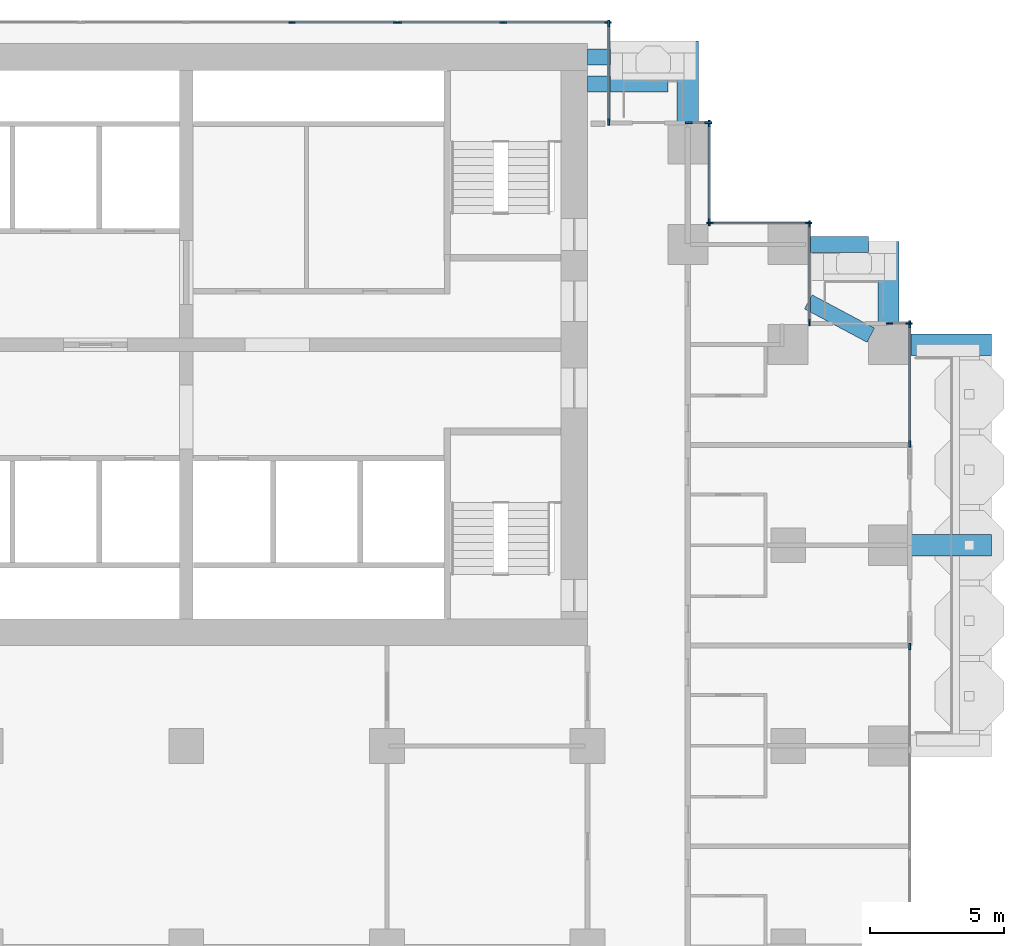
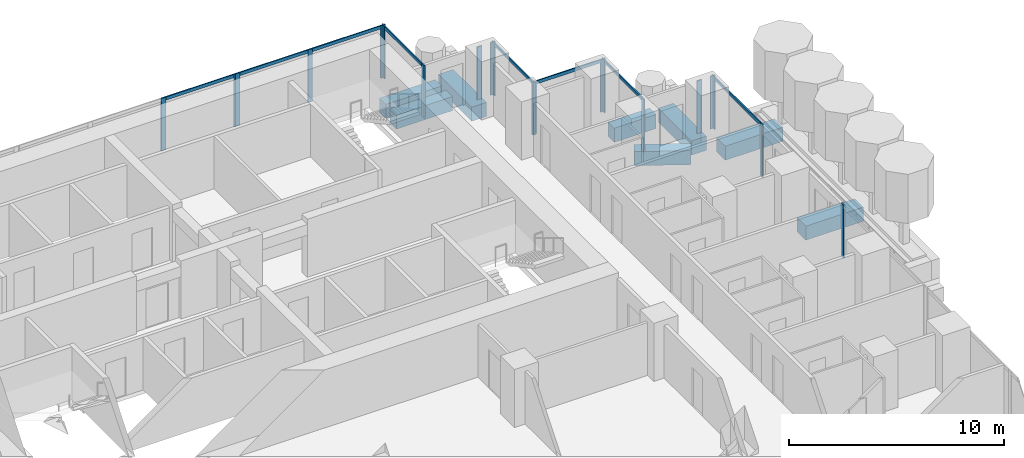
# One storey, part 6 of 20: 28 members, 8 beams, 10 elements without a shape of their own.
"""IFC4 building model written with IfcOpenShell, lengths in metres."""

from ifc_helpers import new_model, si_unit, direction, frame, origin, origin_2d, place, context, subcontext, project, spatial, rectangle, extrude, material, material_profile, profile_set, type_object, element, aggregate, save


model = new_model("IFC4")

# Units and contexts
model_context = context("Model", 3, precision=1e-05, world=origin(), true_north=direction((0.0, 1.0)))
body_context = subcontext(model_context, "Body", "Model", "MODEL_VIEW")
ifc_project = project(units=[si_unit("LENGTHUNIT", "METRE"), si_unit("AREAUNIT", "SQUARE_METRE"), si_unit("VOLUMEUNIT", "CUBIC_METRE"), si_unit("PLANEANGLEUNIT", "RADIAN"), si_unit("MASSUNIT", "GRAM", prefix="KILO")], contexts=[model_context])

# Site, building, storey
site_placement = place(None, origin())
site = spatial("IfcSite", under=ifc_project, at=site_placement, CompositionType="ELEMENT")
building_placement = place(site_placement, origin())
building = spatial("IfcBuilding", under=site, at=building_placement, Name="Pilkhan Gate Tower", CompositionType="ELEMENT")
storey_placement = place(building_placement, frame((0.0, 0.0, 92.300048828125)))
storey = spatial("IfcBuildingStorey", under=building, at=storey_placement, Name="L22", CompositionType="ELEMENT", Elevation=92.300048828125)

# Beams
ifc_material_1 = material(Name="Concrete C50/60", Category="concrete")
ifc_material_profile_1 = material_profile(ifc_material_1, rectangle(XDim=0.60009765625, YDim=0.800048828125, at=origin_2d()), Name="RC 600x800")
ifc_profile_set_1 = profile_set([ifc_material_profile_1], Name="Concrete C50/60")
beam_type_1 = type_object("IfcBeamType", Name="Cantilever beam CB1 RC 600x800 C50/60", PredefinedType="BEAM", material=ifc_profile_set_1)
for number, where, z_axis, x_axis, name in (
    (1, (90.0, 93.25, -0.699951171875), (1.0, 0.0, 0.0), (0.0, 1.0, 0.0), "Balcony beam NE.2 L22"),
    (2, (90.0, 92.25, -0.699951171875), (1.0, 0.0, 0.0), (0.0, 1.0, 0.0), "Balcony beam NE.3 L22"),
):
    element("IfcBeam", number, at=place(storey_placement, frame(where, z_axis=z_axis, x_axis=x_axis)), inside=storey, type_object=beam_type_1, Name=name, PredefinedType="BEAM", context=body_context, shape_type="SweptSolid", body=[
        extrude(rectangle(XDim=0.60009765625, YDim=0.800048828125, at=origin_2d()), origin(), (0.0, 0.0, 1.0), 3.0),
    ])
beam_1_placement = place(storey_placement, frame((98.25, 86.25, -0.699951171875), z_axis=(1.0, 0.0, 0.0), x_axis=(0.0, 1.0, 0.0)))
element("IfcBeam", 3, at=beam_1_placement, inside=storey, type_object=beam_type_1, Name="Balcony beam NE2.2 L22", PredefinedType="BEAM", context=body_context, shape_type="SweptSolid", body=[
    extrude(rectangle(XDim=0.60009765625, YDim=0.800048828125, at=origin_2d()), origin(), (0.0, 0.0, 1.0), 2.25),
])
beam_2_placement = place(storey_placement, frame((100.588134765625, 82.85302734375, -0.699951171875), z_axis=(-0.882342739565, 0.470607362817, 0.0), x_axis=(-0.470607362817, -0.882342739565, 0.0)))
element("IfcBeam", 4, at=beam_2_placement, inside=storey, type_object=beam_type_1, Name="Balcony beam NE2.3 L22", PredefinedType="BEAM", context=body_context, shape_type="SweptSolid", body=[
    extrude(rectangle(XDim=0.60009765625, YDim=0.800048828125, at=origin_2d()), origin(), (0.0, 0.0, 1.0), 2.64990234375),
])
ifc_material_profile_2 = material_profile(ifc_material_1, rectangle(XDim=0.800048828125, YDim=0.800048828125, at=origin_2d()), Name="RC 800x800")
ifc_profile_set_2 = profile_set([ifc_material_profile_2], Name="Concrete C50/60")
beam_type_2 = type_object("IfcBeamType", Name="Cantilever beam CB2 RC 800x800 C50/60", PredefinedType="BEAM", material=ifc_profile_set_2)
for number, where, z_axis, x_axis, name in (
    (5, (102.0, 75.0, -0.699951171875), (1.0, 0.0, 0.0), (0.0, 1.0, 0.0), "Balcony beam E.2 L22"),
    (6, (102.0, 82.5, -0.699951171875), (1.0, 0.0, 0.0), (0.0, 1.0, 0.0), "Balcony beam E.3 L22"),
    (7, (93.75, 90.75, -0.699951171875), (0.0, 1.0, 0.0), (-1.0, 0.0, 0.0), "Balcony beam NE.1 L22"),
    (8, (101.25, 83.25, -0.699951171875), (0.0, 1.0, 0.0), (-1.0, 0.0, 0.0), "Balcony beam NE2.1 L22"),
):
    element("IfcBeam", number, at=place(storey_placement, frame(where, z_axis=z_axis, x_axis=x_axis)), inside=storey, type_object=beam_type_2, Name=name, PredefinedType="BEAM", context=body_context, shape_type="SweptSolid", body=[
        extrude(rectangle(XDim=0.800048828125, YDim=0.800048828125, at=origin_2d()), origin(), (0.0, 0.0, 1.0), 3.10009765625),
    ])

# Curtain wall, member
ifc_material_2 = material(Name="Pale anodised aluminium, clear low-iron double glazing", Category="aluminium")
curtain_wall_type = type_object("IfcCurtainWallType", Name="Hotel unitised curtain wall CW-H", PredefinedType="USERDEFINED", material=ifc_material_2)
curtain_wall_1_placement = place(storey_placement, origin())
curtain_wall_1 = element("IfcCurtainWall", 9, at=curtain_wall_1_placement, inside=storey, type_object=curtain_wall_type, Name="Hotel unitised curtain wall CW-H L22 E", ObjectType="UNITISED CURTAIN WALL", PredefinedType="USERDEFINED")
ifc_material_3 = material(Name="Pale anodised aluminium", Category="aluminium")
ifc_material_profile_3 = material_profile(ifc_material_3, rectangle(XDim=0.06494140625, YDim=0.25, at=origin_2d()), Name="Mullion 250x65")
ifc_profile_set_3 = profile_set([ifc_material_profile_3], Name="Pale anodised aluminium")
member_type_1 = type_object("IfcMemberType", Name="Mullion CW-H 250x65", PredefinedType="MULLION", material=ifc_profile_set_3)
member_1_placement = place(storey_placement, frame((102.044921875, 71.217529296875, 0.0), z_axis=(0.0, 0.0, 1.0), x_axis=(-1.0, 0.0, 0.0)))
member_1 = element("IfcMember", 10, at=member_1_placement, type_object=member_type_1, Name="CW-H mullion 3", PredefinedType="MULLION", context=body_context, shape_type="SweptSolid", body=[
    extrude(rectangle(XDim=0.06494140625, YDim=0.25, at=origin_2d()), origin(), (0.0, 0.0, 1.0), 3.0),
])
aggregate(curtain_wall_1, [member_1])

# Curtain wall, members
curtain_wall_2_placement = place(storey_placement, origin())
curtain_wall_2 = element("IfcCurtainWall", 11, at=curtain_wall_2_placement, inside=storey, type_object=curtain_wall_type, Name="Hotel unitised curtain wall CW-H L22 E", ObjectType="UNITISED CURTAIN WALL", PredefinedType="USERDEFINED")
member_2_placement = place(storey_placement, frame((102.044921875, 78.782470703125, 0.0), z_axis=(0.0, 0.0, 1.0), x_axis=(-1.0, 0.0, 0.0)))
member_2 = element("IfcMember", 12, at=member_2_placement, type_object=member_type_1, Name="CW-H mullion 1", PredefinedType="MULLION", context=body_context, shape_type="SweptSolid", body=[
    extrude(rectangle(XDim=0.06494140625, YDim=0.25, at=origin_2d()), origin(), (0.0, 0.0, 1.0), 3.0),
])
member_3_placement = place(storey_placement, frame((102.044921875, 83.262451171875, 0.0), z_axis=(0.0, 0.0, 1.0), x_axis=(-1.0, 0.0, 0.0)))
member_3 = element("IfcMember", 13, at=member_3_placement, type_object=member_type_1, Name="CW-H mullion 2", PredefinedType="MULLION", context=body_context, shape_type="SweptSolid", body=[
    extrude(rectangle(XDim=0.06494140625, YDim=0.25, at=origin_2d()), origin(), (0.0, 0.0, 1.0), 3.0),
])

curtain_wall_3_placement = place(storey_placement, origin())
curtain_wall_3 = element("IfcCurtainWall", 14, at=curtain_wall_3_placement, inside=storey, type_object=curtain_wall_type, Name="Hotel unitised curtain wall CW-H L22 N", ObjectType="UNITISED CURTAIN WALL", PredefinedType="USERDEFINED")
member_4_placement = place(storey_placement, frame((101.282470703125, 83.294921875, 0.0), z_axis=(0.0, 0.0, 1.0), x_axis=(0.0, 1.0, 0.0)))
member_4 = element("IfcMember", 15, at=member_4_placement, type_object=member_type_1, Name="CW-H mullion 1", PredefinedType="MULLION", context=body_context, shape_type="SweptSolid", body=[
    extrude(rectangle(XDim=0.06494140625, YDim=0.25, at=origin_2d()), origin(), (0.0, 0.0, 1.0), 3.0),
])
member_5_placement = place(storey_placement, frame((102.012451171875, 83.294921875, 0.0), z_axis=(0.0, 0.0, 1.0), x_axis=(0.0, 1.0, 0.0)))
member_5 = element("IfcMember", 16, at=member_5_placement, type_object=member_type_1, Name="CW-H mullion 2", PredefinedType="MULLION", context=body_context, shape_type="SweptSolid", body=[
    extrude(rectangle(XDim=0.06494140625, YDim=0.25, at=origin_2d()), origin(), (0.0, 0.0, 1.0), 3.0),
])
aggregate(curtain_wall_3, [member_4, member_5])

curtain_wall_4_placement = place(storey_placement, origin())
curtain_wall_4 = element("IfcCurtainWall", 17, at=curtain_wall_4_placement, inside=storey, type_object=curtain_wall_type, Name="Hotel unitised curtain wall CW-H L22 E", ObjectType="UNITISED CURTAIN WALL", PredefinedType="USERDEFINED")
member_6_placement = place(storey_placement, frame((98.294921875, 83.327392578125, 0.0), z_axis=(0.0, 0.0, 1.0), x_axis=(-1.0, 0.0, 0.0)))
member_6 = element("IfcMember", 18, at=member_6_placement, type_object=member_type_1, Name="CW-H mullion 1", PredefinedType="MULLION", context=body_context, shape_type="SweptSolid", body=[
    extrude(rectangle(XDim=0.06494140625, YDim=0.25, at=origin_2d()), origin(), (0.0, 0.0, 1.0), 3.0),
])
member_7_placement = place(storey_placement, frame((98.294921875, 87.012451171875, 0.0), z_axis=(0.0, 0.0, 1.0), x_axis=(-1.0, 0.0, 0.0)))
member_7 = element("IfcMember", 19, at=member_7_placement, type_object=member_type_1, Name="CW-H mullion 2", PredefinedType="MULLION", context=body_context, shape_type="SweptSolid", body=[
    extrude(rectangle(XDim=0.06494140625, YDim=0.25, at=origin_2d()), origin(), (0.0, 0.0, 1.0), 3.0),
])

curtain_wall_5_placement = place(storey_placement, origin())
curtain_wall_5 = element("IfcCurtainWall", 20, at=curtain_wall_5_placement, inside=storey, type_object=curtain_wall_type, Name="Hotel unitised curtain wall CW-H L22 N", ObjectType="UNITISED CURTAIN WALL", PredefinedType="USERDEFINED")
member_8_placement = place(storey_placement, frame((94.577392578125, 87.044921875, 0.0), z_axis=(0.0, 0.0, 1.0), x_axis=(0.0, 1.0, 0.0)))
member_8 = element("IfcMember", 21, at=member_8_placement, type_object=member_type_1, Name="CW-H mullion 1", PredefinedType="MULLION", context=body_context, shape_type="SweptSolid", body=[
    extrude(rectangle(XDim=0.06494140625, YDim=0.25, at=origin_2d()), origin(), (0.0, 0.0, 1.0), 3.0),
])
member_9_placement = place(storey_placement, frame((98.262451171875, 87.044921875, 0.0), z_axis=(0.0, 0.0, 1.0), x_axis=(0.0, 1.0, 0.0)))
member_9 = element("IfcMember", 22, at=member_9_placement, type_object=member_type_1, Name="CW-H mullion 2", PredefinedType="MULLION", context=body_context, shape_type="SweptSolid", body=[
    extrude(rectangle(XDim=0.06494140625, YDim=0.25, at=origin_2d()), origin(), (0.0, 0.0, 1.0), 3.0),
])

curtain_wall_6_placement = place(storey_placement, origin())
curtain_wall_6 = element("IfcCurtainWall", 23, at=curtain_wall_6_placement, inside=storey, type_object=curtain_wall_type, Name="Hotel unitised curtain wall CW-H L22 E", ObjectType="UNITISED CURTAIN WALL", PredefinedType="USERDEFINED")
member_10_placement = place(storey_placement, frame((94.544921875, 87.077392578125, 0.0), z_axis=(0.0, 0.0, 1.0), x_axis=(-1.0, 0.0, 0.0)))
member_10 = element("IfcMember", 24, at=member_10_placement, type_object=member_type_1, Name="CW-H mullion 1", PredefinedType="MULLION", context=body_context, shape_type="SweptSolid", body=[
    extrude(rectangle(XDim=0.06494140625, YDim=0.25, at=origin_2d()), origin(), (0.0, 0.0, 1.0), 3.0),
])
member_11_placement = place(storey_placement, frame((94.544921875, 90.762451171875, 0.0), z_axis=(0.0, 0.0, 1.0), x_axis=(-1.0, 0.0, 0.0)))
member_11 = element("IfcMember", 25, at=member_11_placement, type_object=member_type_1, Name="CW-H mullion 2", PredefinedType="MULLION", context=body_context, shape_type="SweptSolid", body=[
    extrude(rectangle(XDim=0.06494140625, YDim=0.25, at=origin_2d()), origin(), (0.0, 0.0, 1.0), 3.0),
])

curtain_wall_7_placement = place(storey_placement, origin())
curtain_wall_7 = element("IfcCurtainWall", 26, at=curtain_wall_7_placement, inside=storey, type_object=curtain_wall_type, Name="Hotel unitised curtain wall CW-H L22 N", ObjectType="UNITISED CURTAIN WALL", PredefinedType="USERDEFINED")
member_12_placement = place(storey_placement, frame((93.782470703125, 90.794921875, 0.0), z_axis=(0.0, 0.0, 1.0), x_axis=(0.0, 1.0, 0.0)))
member_12 = element("IfcMember", 27, at=member_12_placement, type_object=member_type_1, Name="CW-H mullion 1", PredefinedType="MULLION", context=body_context, shape_type="SweptSolid", body=[
    extrude(rectangle(XDim=0.06494140625, YDim=0.25, at=origin_2d()), origin(), (0.0, 0.0, 1.0), 3.0),
])
member_13_placement = place(storey_placement, frame((94.512451171875, 90.794921875, 0.0), z_axis=(0.0, 0.0, 1.0), x_axis=(0.0, 1.0, 0.0)))
member_13 = element("IfcMember", 28, at=member_13_placement, type_object=member_type_1, Name="CW-H mullion 2", PredefinedType="MULLION", context=body_context, shape_type="SweptSolid", body=[
    extrude(rectangle(XDim=0.06494140625, YDim=0.25, at=origin_2d()), origin(), (0.0, 0.0, 1.0), 3.0),
])
aggregate(curtain_wall_7, [member_12, member_13])

curtain_wall_8_placement = place(storey_placement, origin())
curtain_wall_8 = element("IfcCurtainWall", 29, at=curtain_wall_8_placement, inside=storey, type_object=curtain_wall_type, Name="Hotel unitised curtain wall CW-H L22 E", ObjectType="UNITISED CURTAIN WALL", PredefinedType="USERDEFINED")
member_14_placement = place(storey_placement, frame((90.794921875, 90.827392578125, 0.0), z_axis=(0.0, 0.0, 1.0), x_axis=(-1.0, 0.0, 0.0)))
member_14 = element("IfcMember", 30, at=member_14_placement, type_object=member_type_1, Name="CW-H mullion 1", PredefinedType="MULLION", context=body_context, shape_type="SweptSolid", body=[
    extrude(rectangle(XDim=0.06494140625, YDim=0.25, at=origin_2d()), origin(), (0.0, 0.0, 1.0), 3.0),
])
member_15_placement = place(storey_placement, frame((90.794921875, 94.512451171875, 0.0), z_axis=(0.0, 0.0, 1.0), x_axis=(-1.0, 0.0, 0.0)))
member_15 = element("IfcMember", 31, at=member_15_placement, type_object=member_type_1, Name="CW-H mullion 2", PredefinedType="MULLION", context=body_context, shape_type="SweptSolid", body=[
    extrude(rectangle(XDim=0.06494140625, YDim=0.25, at=origin_2d()), origin(), (0.0, 0.0, 1.0), 3.0),
])

curtain_wall_9_placement = place(storey_placement, origin())
curtain_wall_9 = element("IfcCurtainWall", 32, at=curtain_wall_9_placement, inside=storey, type_object=curtain_wall_type, Name="Hotel unitised curtain wall CW-H L22 N", ObjectType="UNITISED CURTAIN WALL", PredefinedType="USERDEFINED")
member_16_placement = place(storey_placement, frame((78.94873046875, 94.544921875, 0.0), z_axis=(0.0, 0.0, 1.0), x_axis=(0.0, 1.0, 0.0)))
member_16 = element("IfcMember", 33, at=member_16_placement, type_object=member_type_1, Name="CW-H mullion 3", PredefinedType="MULLION", context=body_context, shape_type="SweptSolid", body=[
    extrude(rectangle(XDim=0.06494140625, YDim=0.25, at=origin_2d()), origin(), (0.0, 0.0, 1.0), 3.0),
])
member_17_placement = place(storey_placement, frame((82.864990234375, 94.544921875, 0.0), z_axis=(0.0, 0.0, 1.0), x_axis=(0.0, 1.0, 0.0)))
member_17 = element("IfcMember", 34, at=member_17_placement, type_object=member_type_1, Name="CW-H mullion 4", PredefinedType="MULLION", context=body_context, shape_type="SweptSolid", body=[
    extrude(rectangle(XDim=0.06494140625, YDim=0.25, at=origin_2d()), origin(), (0.0, 0.0, 1.0), 3.0),
])

curtain_wall_10_placement = place(storey_placement, origin())
curtain_wall_10 = element("IfcCurtainWall", 35, at=curtain_wall_10_placement, inside=storey, type_object=curtain_wall_type, Name="Hotel unitised curtain wall CW-H L22 N", ObjectType="UNITISED CURTAIN WALL", PredefinedType="USERDEFINED")
member_18_placement = place(storey_placement, frame((82.929931640625, 94.544921875, 0.0), z_axis=(0.0, 0.0, 1.0), x_axis=(0.0, 1.0, 0.0)))
member_18 = element("IfcMember", 36, at=member_18_placement, type_object=member_type_1, Name="CW-H mullion 1", PredefinedType="MULLION", context=body_context, shape_type="SweptSolid", body=[
    extrude(rectangle(XDim=0.06494140625, YDim=0.25, at=origin_2d()), origin(), (0.0, 0.0, 1.0), 3.0),
])
member_19_placement = place(storey_placement, frame((86.84619140625, 94.544921875, 0.0), z_axis=(0.0, 0.0, 1.0), x_axis=(0.0, 1.0, 0.0)))
member_19 = element("IfcMember", 37, at=member_19_placement, type_object=member_type_1, Name="CW-H mullion 2", PredefinedType="MULLION", context=body_context, shape_type="SweptSolid", body=[
    extrude(rectangle(XDim=0.06494140625, YDim=0.25, at=origin_2d()), origin(), (0.0, 0.0, 1.0), 3.0),
])
member_20_placement = place(storey_placement, frame((90.762451171875, 94.544921875, 0.0), z_axis=(0.0, 0.0, 1.0), x_axis=(0.0, 1.0, 0.0)))
member_20 = element("IfcMember", 38, at=member_20_placement, type_object=member_type_1, Name="CW-H mullion 3", PredefinedType="MULLION", context=body_context, shape_type="SweptSolid", body=[
    extrude(rectangle(XDim=0.06494140625, YDim=0.25, at=origin_2d()), origin(), (0.0, 0.0, 1.0), 3.0),
])

# Member
ifc_material_profile_4 = material_profile(ifc_material_3, rectangle(XDim=0.06494140625, YDim=0.179931640625, at=origin_2d()), Name="Transom 180x65")
ifc_profile_set_4 = profile_set([ifc_material_profile_4], Name="Pale anodised aluminium")
member_type_2 = type_object("IfcMemberType", Name="Transom CW-H 180x65", PredefinedType="USERDEFINED", material=ifc_profile_set_4)
member_21_placement = place(storey_placement, frame((102.044921875, 78.81494140625, 2.909912109375), z_axis=(0.0, 1.0, 0.0), x_axis=(-1.0, 0.0, 0.0)))
member_21 = element("IfcMember", 39, at=member_21_placement, type_object=member_type_2, Name="CW-H transom 1", ObjectType="TRANSOM", PredefinedType="USERDEFINED", context=body_context, shape_type="SweptSolid", body=[
    extrude(rectangle(XDim=0.06494140625, YDim=0.179931640625, at=origin_2d()), origin(), (0.0, 0.0, 1.0), 4.4150390625),
])

aggregate(curtain_wall_2, [member_2, member_3, member_21])

member_22_placement = place(storey_placement, frame((98.294921875, 83.360107421875, 2.909912109375), z_axis=(0.0, 1.0, 0.0), x_axis=(-1.0, 0.0, 0.0)))
member_22 = element("IfcMember", 40, at=member_22_placement, type_object=member_type_2, Name="CW-H transom 1", ObjectType="TRANSOM", PredefinedType="USERDEFINED", context=body_context, shape_type="SweptSolid", body=[
    extrude(rectangle(XDim=0.06494140625, YDim=0.179931640625, at=origin_2d()), origin(), (0.0, 0.0, 1.0), 3.619873046875),
])

aggregate(curtain_wall_4, [member_6, member_7, member_22])

member_23_placement = place(storey_placement, frame((94.610107421875, 87.044921875, 2.909912109375), z_axis=(1.0, 0.0, 0.0), x_axis=(0.0, 1.0, 0.0)))
member_23 = element("IfcMember", 41, at=member_23_placement, type_object=member_type_2, Name="CW-H transom 1", ObjectType="TRANSOM", PredefinedType="USERDEFINED", context=body_context, shape_type="SweptSolid", body=[
    extrude(rectangle(XDim=0.06494140625, YDim=0.179931640625, at=origin_2d()), origin(), (0.0, 0.0, 1.0), 3.619873046875),
])

aggregate(curtain_wall_5, [member_8, member_9, member_23])

member_24_placement = place(storey_placement, frame((94.544921875, 87.110107421875, 2.909912109375), z_axis=(0.0, 1.0, 0.0), x_axis=(-1.0, 0.0, 0.0)))
member_24 = element("IfcMember", 42, at=member_24_placement, type_object=member_type_2, Name="CW-H transom 1", ObjectType="TRANSOM", PredefinedType="USERDEFINED", context=body_context, shape_type="SweptSolid", body=[
    extrude(rectangle(XDim=0.06494140625, YDim=0.179931640625, at=origin_2d()), origin(), (0.0, 0.0, 1.0), 3.619873046875),
])

aggregate(curtain_wall_6, [member_10, member_11, member_24])

member_25_placement = place(storey_placement, frame((90.794921875, 90.860107421875, 2.909912109375), z_axis=(0.0, 1.0, 0.0), x_axis=(-1.0, 0.0, 0.0)))
member_25 = element("IfcMember", 43, at=member_25_placement, type_object=member_type_2, Name="CW-H transom 1", ObjectType="TRANSOM", PredefinedType="USERDEFINED", context=body_context, shape_type="SweptSolid", body=[
    extrude(rectangle(XDim=0.06494140625, YDim=0.179931640625, at=origin_2d()), origin(), (0.0, 0.0, 1.0), 3.619873046875),
])

aggregate(curtain_wall_8, [member_14, member_15, member_25])

member_26_placement = place(storey_placement, frame((78.981201171875, 94.544921875, 2.909912109375), z_axis=(1.0, 0.0, 0.0), x_axis=(0.0, 1.0, 0.0)))
member_26 = element("IfcMember", 44, at=member_26_placement, type_object=member_type_2, Name="CW-H transom 3", ObjectType="TRANSOM", PredefinedType="USERDEFINED", context=body_context, shape_type="SweptSolid", body=[
    extrude(rectangle(XDim=0.06494140625, YDim=0.179931640625, at=origin_2d()), origin(), (0.0, 0.0, 1.0), 3.851318359375),
])

aggregate(curtain_wall_9, [member_16, member_17, member_26])

member_27_placement = place(storey_placement, frame((82.96240234375, 94.544921875, 2.909912109375), z_axis=(1.0, 0.0, 0.0), x_axis=(0.0, 1.0, 0.0)))
member_27 = element("IfcMember", 45, at=member_27_placement, type_object=member_type_2, Name="CW-H transom 1", ObjectType="TRANSOM", PredefinedType="USERDEFINED", context=body_context, shape_type="SweptSolid", body=[
    extrude(rectangle(XDim=0.06494140625, YDim=0.179931640625, at=origin_2d()), origin(), (0.0, 0.0, 1.0), 3.851318359375),
])

member_28_placement = place(storey_placement, frame((86.878662109375, 94.544921875, 2.909912109375), z_axis=(1.0, 0.0, 0.0), x_axis=(0.0, 1.0, 0.0)))
member_28 = element("IfcMember", 46, at=member_28_placement, type_object=member_type_2, Name="CW-H transom 2", ObjectType="TRANSOM", PredefinedType="USERDEFINED", context=body_context, shape_type="SweptSolid", body=[
    extrude(rectangle(XDim=0.06494140625, YDim=0.179931640625, at=origin_2d()), origin(), (0.0, 0.0, 1.0), 3.851318359375),
])

aggregate(curtain_wall_10, [member_18, member_19, member_20, member_27, member_28])

save(model, "model.ifc")
